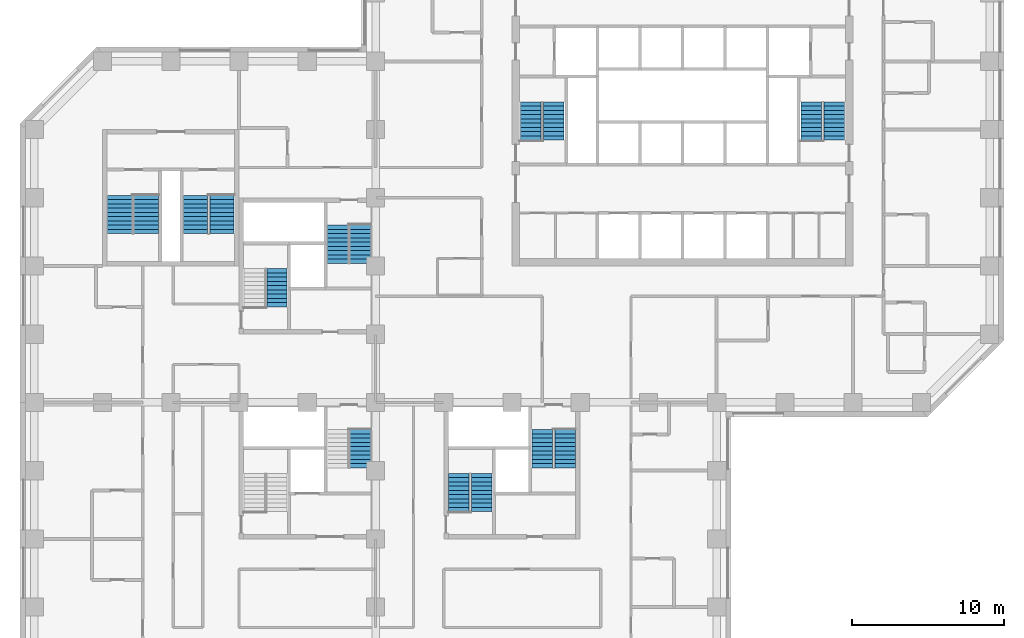
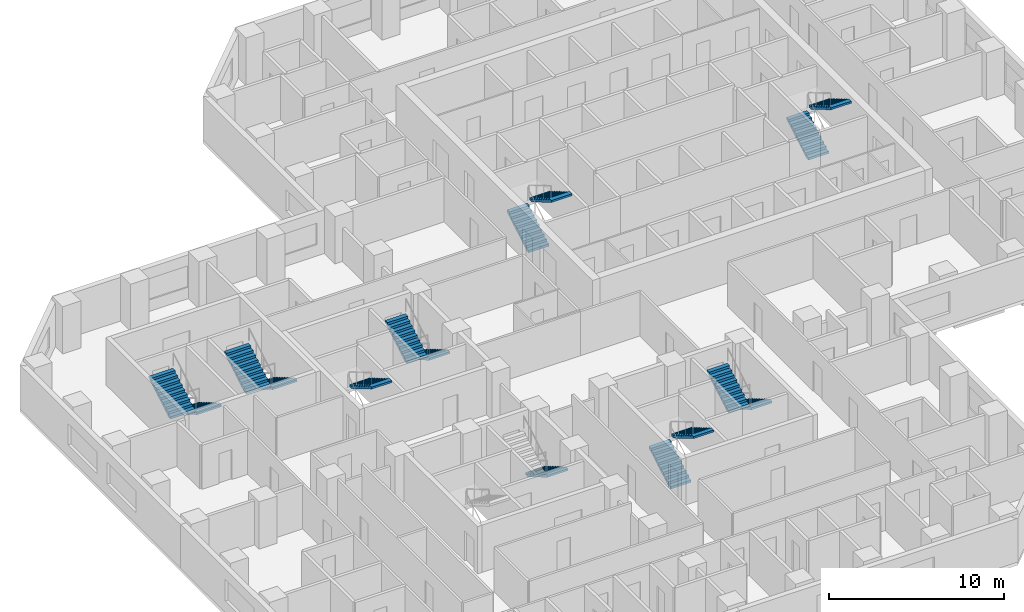
# One storey, part 11 of 12: 16 stair flights, 9 elements without a shape of their own.
"""IFC4 building model written with IfcOpenShell, lengths in metres."""

from ifc_helpers import new_model, si_unit, direction, frame, origin, place, context, subcontext, project, spatial, polyline, outline, extrude, material, type_object, element, aggregate, save


model = new_model("IFC4")

# Units and contexts
model_context = context("Model", 3, precision=1e-05, world=origin(), true_north=direction((0.0, 1.0)))
body_context = subcontext(model_context, "Body", "Model", "MODEL_VIEW")
ifc_project = project(units=[si_unit("LENGTHUNIT", "METRE"), si_unit("AREAUNIT", "SQUARE_METRE"), si_unit("VOLUMEUNIT", "CUBIC_METRE"), si_unit("PLANEANGLEUNIT", "RADIAN"), si_unit("MASSUNIT", "GRAM", prefix="KILO")], contexts=[model_context])

# Site, building, storey
site_placement = place(None, origin())
site = spatial("IfcSite", under=ifc_project, at=site_placement, CompositionType="ELEMENT")
building_placement = place(site_placement, origin())
building = spatial("IfcBuilding", under=site, at=building_placement, Name="Quoin Convention Tower", CompositionType="ELEMENT")
storey_placement = place(building_placement, frame((0.0, 0.0, 29.699951171875)))
storey = spatial("IfcBuildingStorey", under=building, at=storey_placement, Name="L06", CompositionType="ELEMENT", Elevation=29.699951171875)

# Stair, stair flights
ifc_material = material(Name="Concrete C40", Category="concrete")
stair_type_1 = type_object("IfcStairType", Name="Exit stair two-flight 1350", PredefinedType="HALF_TURN_STAIR", material=ifc_material)
stair_1_placement = place(storey_placement, origin())
stair_1 = element("IfcStair", 1, at=stair_1_placement, inside=storey, type_object=stair_type_1, Name="SD1 L06", PredefinedType="HALF_TURN_STAIR")
stair_flight_type_1 = type_object("IfcStairFlightType", Name="Stair flight 1350", PredefinedType="STRAIGHT", material=ifc_material)
stair_flight_1_placement = place(storey_placement, frame((46.25, 57.800048828125, 0.0), z_axis=(0.0, 0.0, 1.0), x_axis=(0.0, 1.0, 0.0)))
stair_flight_1 = element("IfcStairFlight", 2, at=stair_flight_1_placement, type_object=stair_flight_type_1, Name="ST1 flight 1", NumberOfRisers=10, NumberOfTreads=9, PredefinedType="STRAIGHT", RiserHeight=0.165, TreadLength=0.28, context=body_context, shape_type="SweptSolid", body=[
    extrude(outline(polyline([(0.0, 0.0), (0.0, 0.1650390625), (0.280029296875, 0.1650390625), (0.280029296875, 0.330078125), (0.56005859375, 0.330078125), (0.56005859375, 0.4951171875), (0.840087890625, 0.4951171875), (0.840087890625, 0.659912109375), (1.1201171875, 0.659912109375), (1.1201171875, 0.824951171875), (1.39990234375, 0.824951171875), (1.39990234375, 0.989990234375), (1.679931640625, 0.989990234375), (1.679931640625, 1.155029296875), (1.9599609375, 1.155029296875), (1.9599609375, 1.320068359375), (2.239990234375, 1.320068359375), (2.239990234375, 1.485107421875), (2.52001953125, 1.485107421875), (2.52001953125, 1.64990234375), (2.52001953125, 1.345458984375), (0.236572265625, 0.0), (0.0, 0.0)])), frame((0.0, 0.675048828125, 0.0), z_axis=(0.0, -1.0, 0.0), x_axis=(1.0, 0.0, 0.0)), (0.0, 0.0, 1.0), 1.35009765625),
])
stair_flight_2_placement = place(storey_placement, frame((47.75, 60.320068359375, 1.650146484375), z_axis=(0.0, 0.0, 1.0), x_axis=(0.0, -1.0, 0.0)))
stair_flight_2 = element("IfcStairFlight", 3, at=stair_flight_2_placement, type_object=stair_flight_type_1, Name="ST1 flight 2", NumberOfRisers=10, NumberOfTreads=9, PredefinedType="STRAIGHT", RiserHeight=0.165, TreadLength=0.28, context=body_context, shape_type="SweptSolid", body=[
    extrude(outline(polyline([(0.0, 0.0), (0.0, 0.1650390625), (0.280029296875, 0.1650390625), (0.280029296875, 0.330078125), (0.56005859375, 0.330078125), (0.56005859375, 0.4951171875), (0.840087890625, 0.4951171875), (0.840087890625, 0.659912109375), (1.1201171875, 0.659912109375), (1.1201171875, 0.824951171875), (1.39990234375, 0.824951171875), (1.39990234375, 0.989990234375), (1.679931640625, 0.989990234375), (1.679931640625, 1.155029296875), (1.9599609375, 1.155029296875), (1.9599609375, 1.320068359375), (2.239990234375, 1.320068359375), (2.239990234375, 1.485107421875), (2.52001953125, 1.485107421875), (2.52001953125, 1.64990234375), (2.52001953125, 1.345458984375), (0.236572265625, 0.0), (0.0, 0.0)])), frame((0.0, 0.675048828125, 0.0), z_axis=(0.0, -1.0, 0.0), x_axis=(1.0, 0.0, 0.0)), (0.0, 0.0, 1.0), 1.35009765625),
])
aggregate(stair_1, [stair_flight_1, stair_flight_2])

stair_2_placement = place(storey_placement, origin())
stair_2 = element("IfcStair", 4, at=stair_2_placement, inside=storey, type_object=stair_type_1, Name="SD2 L06", PredefinedType="HALF_TURN_STAIR")
stair_flight_3_placement = place(storey_placement, frame((64.75, 57.800048828125, 0.0), z_axis=(0.0, 0.0, 1.0), x_axis=(0.0, 1.0, 0.0)))
stair_flight_3 = element("IfcStairFlight", 5, at=stair_flight_3_placement, type_object=stair_flight_type_1, Name="ST2 flight 1", NumberOfRisers=10, NumberOfTreads=9, PredefinedType="STRAIGHT", RiserHeight=0.165, TreadLength=0.28, context=body_context, shape_type="SweptSolid", body=[
    extrude(outline(polyline([(0.0, 0.0), (0.0, 0.1650390625), (0.280029296875, 0.1650390625), (0.280029296875, 0.330078125), (0.56005859375, 0.330078125), (0.56005859375, 0.4951171875), (0.840087890625, 0.4951171875), (0.840087890625, 0.659912109375), (1.1201171875, 0.659912109375), (1.1201171875, 0.824951171875), (1.39990234375, 0.824951171875), (1.39990234375, 0.989990234375), (1.679931640625, 0.989990234375), (1.679931640625, 1.155029296875), (1.9599609375, 1.155029296875), (1.9599609375, 1.320068359375), (2.239990234375, 1.320068359375), (2.239990234375, 1.485107421875), (2.52001953125, 1.485107421875), (2.52001953125, 1.64990234375), (2.52001953125, 1.345458984375), (0.236572265625, 0.0), (0.0, 0.0)])), frame((0.0, 0.675048828125, 0.0), z_axis=(0.0, -1.0, 0.0), x_axis=(1.0, 0.0, 0.0)), (0.0, 0.0, 1.0), 1.35009765625),
])
stair_flight_4_placement = place(storey_placement, frame((66.25, 60.320068359375, 1.650146484375), z_axis=(0.0, 0.0, 1.0), x_axis=(0.0, -1.0, 0.0)))
stair_flight_4 = element("IfcStairFlight", 6, at=stair_flight_4_placement, type_object=stair_flight_type_1, Name="ST2 flight 2", NumberOfRisers=10, NumberOfTreads=9, PredefinedType="STRAIGHT", RiserHeight=0.165, TreadLength=0.28, context=body_context, shape_type="SweptSolid", body=[
    extrude(outline(polyline([(0.0, 0.0), (0.0, 0.1650390625), (0.280029296875, 0.1650390625), (0.280029296875, 0.330078125), (0.56005859375, 0.330078125), (0.56005859375, 0.4951171875), (0.840087890625, 0.4951171875), (0.840087890625, 0.659912109375), (1.1201171875, 0.659912109375), (1.1201171875, 0.824951171875), (1.39990234375, 0.824951171875), (1.39990234375, 0.989990234375), (1.679931640625, 0.989990234375), (1.679931640625, 1.155029296875), (1.9599609375, 1.155029296875), (1.9599609375, 1.320068359375), (2.239990234375, 1.320068359375), (2.239990234375, 1.485107421875), (2.52001953125, 1.485107421875), (2.52001953125, 1.64990234375), (2.52001953125, 1.345458984375), (0.236572265625, 0.0), (0.0, 0.0)])), frame((0.0, 0.675048828125, 0.0), z_axis=(0.0, -1.0, 0.0), x_axis=(1.0, 0.0, 0.0)), (0.0, 0.0, 1.0), 1.35009765625),
])
aggregate(stair_2, [stair_flight_3, stair_flight_4])

# Stair, stair flight
stair_3_placement = place(storey_placement, origin())
stair_3 = element("IfcStair", 7, at=stair_3_placement, inside=storey, type_object=stair_type_1, Name="SD3 L06", PredefinedType="HALF_TURN_STAIR")
stair_flight_5_placement = place(storey_placement, frame((29.5, 49.320068359375, 1.650146484375), z_axis=(0.0, 0.0, 1.0), x_axis=(0.0, -1.0, 0.0)))
stair_flight_5 = element("IfcStairFlight", 8, at=stair_flight_5_placement, type_object=stair_flight_type_1, Name="ST3 flight 2", NumberOfRisers=10, NumberOfTreads=9, PredefinedType="STRAIGHT", RiserHeight=0.165, TreadLength=0.28, context=body_context, shape_type="SweptSolid", body=[
    extrude(outline(polyline([(0.0, 0.0), (0.0, 0.1650390625), (0.280029296875, 0.1650390625), (0.280029296875, 0.330078125), (0.56005859375, 0.330078125), (0.56005859375, 0.4951171875), (0.840087890625, 0.4951171875), (0.840087890625, 0.659912109375), (1.1201171875, 0.659912109375), (1.1201171875, 0.824951171875), (1.39990234375, 0.824951171875), (1.39990234375, 0.989990234375), (1.679931640625, 0.989990234375), (1.679931640625, 1.155029296875), (1.9599609375, 1.155029296875), (1.9599609375, 1.320068359375), (2.239990234375, 1.320068359375), (2.239990234375, 1.485107421875), (2.52001953125, 1.485107421875), (2.52001953125, 1.64990234375), (2.52001953125, 1.345458984375), (0.236572265625, 0.0), (0.0, 0.0)])), frame((0.0, 0.675048828125, 0.0), z_axis=(0.0, -1.0, 0.0), x_axis=(1.0, 0.0, 0.0)), (0.0, 0.0, 1.0), 1.35009765625),
])
aggregate(stair_3, [stair_flight_5])

# Stair, stair flights
stair_4_placement = place(storey_placement, origin())
stair_4 = element("IfcStair", 9, at=stair_4_placement, inside=storey, type_object=stair_type_1, Name="SD4 L06", PredefinedType="HALF_TURN_STAIR")
stair_flight_6_placement = place(storey_placement, frame((35.0, 52.199951171875, 0.0), z_axis=(0.0, 0.0, 1.0), x_axis=(0.0, -1.0, 0.0)))
stair_flight_6 = element("IfcStairFlight", 10, at=stair_flight_6_placement, type_object=stair_flight_type_1, Name="ST4 flight 1", NumberOfRisers=10, NumberOfTreads=9, PredefinedType="STRAIGHT", RiserHeight=0.165, TreadLength=0.28, context=body_context, shape_type="SweptSolid", body=[
    extrude(outline(polyline([(0.0, 0.0), (0.0, 0.1650390625), (0.280029296875, 0.1650390625), (0.280029296875, 0.330078125), (0.56005859375, 0.330078125), (0.56005859375, 0.4951171875), (0.840087890625, 0.4951171875), (0.840087890625, 0.659912109375), (1.1201171875, 0.659912109375), (1.1201171875, 0.824951171875), (1.39990234375, 0.824951171875), (1.39990234375, 0.989990234375), (1.679931640625, 0.989990234375), (1.679931640625, 1.155029296875), (1.9599609375, 1.155029296875), (1.9599609375, 1.320068359375), (2.239990234375, 1.320068359375), (2.239990234375, 1.485107421875), (2.52001953125, 1.485107421875), (2.52001953125, 1.64990234375), (2.52001953125, 1.345458984375), (0.236572265625, 0.0), (0.0, 0.0)])), frame((0.0, 0.675048828125, 0.0), z_axis=(0.0, -1.0, 0.0), x_axis=(1.0, 0.0, 0.0)), (0.0, 0.0, 1.0), 1.35009765625),
])
stair_flight_7_placement = place(storey_placement, frame((33.5, 49.679931640625, 1.650146484375), z_axis=(0.0, 0.0, 1.0), x_axis=(0.0, 1.0, 0.0)))
stair_flight_7 = element("IfcStairFlight", 11, at=stair_flight_7_placement, type_object=stair_flight_type_1, Name="ST4 flight 2", NumberOfRisers=10, NumberOfTreads=9, PredefinedType="STRAIGHT", RiserHeight=0.165, TreadLength=0.28, context=body_context, shape_type="SweptSolid", body=[
    extrude(outline(polyline([(0.0, 0.0), (0.0, 0.1650390625), (0.280029296875, 0.1650390625), (0.280029296875, 0.330078125), (0.56005859375, 0.330078125), (0.56005859375, 0.4951171875), (0.840087890625, 0.4951171875), (0.840087890625, 0.659912109375), (1.1201171875, 0.659912109375), (1.1201171875, 0.824951171875), (1.39990234375, 0.824951171875), (1.39990234375, 0.989990234375), (1.679931640625, 0.989990234375), (1.679931640625, 1.155029296875), (1.9599609375, 1.155029296875), (1.9599609375, 1.320068359375), (2.239990234375, 1.320068359375), (2.239990234375, 1.485107421875), (2.52001953125, 1.485107421875), (2.52001953125, 1.64990234375), (2.52001953125, 1.345458984375), (0.236572265625, 0.0), (0.0, 0.0)])), frame((0.0, 0.675048828125, 0.0), z_axis=(0.0, -1.0, 0.0), x_axis=(1.0, 0.0, 0.0)), (0.0, 0.0, 1.0), 1.35009765625),
])
aggregate(stair_4, [stair_flight_6, stair_flight_7])

stair_5_placement = place(storey_placement, origin())
stair_5 = element("IfcStair", 12, at=stair_5_placement, inside=storey, type_object=stair_type_1, Name="SD5 L06", PredefinedType="HALF_TURN_STAIR")
stair_flight_8_placement = place(storey_placement, frame((41.5, 33.300048828125, 0.0), z_axis=(0.0, 0.0, 1.0), x_axis=(0.0, 1.0, 0.0)))
stair_flight_8 = element("IfcStairFlight", 13, at=stair_flight_8_placement, type_object=stair_flight_type_1, Name="ST5 flight 1", NumberOfRisers=10, NumberOfTreads=9, PredefinedType="STRAIGHT", RiserHeight=0.165, TreadLength=0.28, context=body_context, shape_type="SweptSolid", body=[
    extrude(outline(polyline([(0.0, 0.0), (0.0, 0.1650390625), (0.280029296875, 0.1650390625), (0.280029296875, 0.330078125), (0.56005859375, 0.330078125), (0.56005859375, 0.4951171875), (0.840087890625, 0.4951171875), (0.840087890625, 0.659912109375), (1.1201171875, 0.659912109375), (1.1201171875, 0.824951171875), (1.39990234375, 0.824951171875), (1.39990234375, 0.989990234375), (1.679931640625, 0.989990234375), (1.679931640625, 1.155029296875), (1.9599609375, 1.155029296875), (1.9599609375, 1.320068359375), (2.239990234375, 1.320068359375), (2.239990234375, 1.485107421875), (2.52001953125, 1.485107421875), (2.52001953125, 1.64990234375), (2.52001953125, 1.345458984375), (0.236572265625, 0.0), (0.0, 0.0)])), frame((0.0, 0.675048828125, 0.0), z_axis=(0.0, -1.0, 0.0), x_axis=(1.0, 0.0, 0.0)), (0.0, 0.0, 1.0), 1.35009765625),
])
stair_flight_9_placement = place(storey_placement, frame((43.0, 35.820068359375, 1.650146484375), z_axis=(0.0, 0.0, 1.0), x_axis=(0.0, -1.0, 0.0)))
stair_flight_9 = element("IfcStairFlight", 14, at=stair_flight_9_placement, type_object=stair_flight_type_1, Name="ST5 flight 2", NumberOfRisers=10, NumberOfTreads=9, PredefinedType="STRAIGHT", RiserHeight=0.165, TreadLength=0.28, context=body_context, shape_type="SweptSolid", body=[
    extrude(outline(polyline([(0.0, 0.0), (0.0, 0.1650390625), (0.280029296875, 0.1650390625), (0.280029296875, 0.330078125), (0.56005859375, 0.330078125), (0.56005859375, 0.4951171875), (0.840087890625, 0.4951171875), (0.840087890625, 0.659912109375), (1.1201171875, 0.659912109375), (1.1201171875, 0.824951171875), (1.39990234375, 0.824951171875), (1.39990234375, 0.989990234375), (1.679931640625, 0.989990234375), (1.679931640625, 1.155029296875), (1.9599609375, 1.155029296875), (1.9599609375, 1.320068359375), (2.239990234375, 1.320068359375), (2.239990234375, 1.485107421875), (2.52001953125, 1.485107421875), (2.52001953125, 1.64990234375), (2.52001953125, 1.345458984375), (0.236572265625, 0.0), (0.0, 0.0)])), frame((0.0, 0.675048828125, 0.0), z_axis=(0.0, -1.0, 0.0), x_axis=(1.0, 0.0, 0.0)), (0.0, 0.0, 1.0), 1.35009765625),
])
aggregate(stair_5, [stair_flight_8, stair_flight_9])

stair_6_placement = place(storey_placement, origin())
stair_6 = element("IfcStair", 15, at=stair_6_placement, inside=storey, type_object=stair_type_1, Name="SD6 L06", PredefinedType="HALF_TURN_STAIR")
stair_flight_10_placement = place(storey_placement, frame((48.5, 38.699951171875, 0.0), z_axis=(0.0, 0.0, 1.0), x_axis=(0.0, -1.0, 0.0)))
stair_flight_10 = element("IfcStairFlight", 16, at=stair_flight_10_placement, type_object=stair_flight_type_1, Name="ST6 flight 1", NumberOfRisers=10, NumberOfTreads=9, PredefinedType="STRAIGHT", RiserHeight=0.165, TreadLength=0.28, context=body_context, shape_type="SweptSolid", body=[
    extrude(outline(polyline([(0.0, 0.0), (0.0, 0.1650390625), (0.280029296875, 0.1650390625), (0.280029296875, 0.330078125), (0.56005859375, 0.330078125), (0.56005859375, 0.4951171875), (0.840087890625, 0.4951171875), (0.840087890625, 0.659912109375), (1.1201171875, 0.659912109375), (1.1201171875, 0.824951171875), (1.39990234375, 0.824951171875), (1.39990234375, 0.989990234375), (1.679931640625, 0.989990234375), (1.679931640625, 1.155029296875), (1.9599609375, 1.155029296875), (1.9599609375, 1.320068359375), (2.239990234375, 1.320068359375), (2.239990234375, 1.485107421875), (2.52001953125, 1.485107421875), (2.52001953125, 1.64990234375), (2.52001953125, 1.345458984375), (0.236572265625, 0.0), (0.0, 0.0)])), frame((0.0, 0.675048828125, 0.0), z_axis=(0.0, -1.0, 0.0), x_axis=(1.0, 0.0, 0.0)), (0.0, 0.0, 1.0), 1.35009765625),
])
stair_flight_11_placement = place(storey_placement, frame((47.0, 36.179931640625, 1.650146484375), z_axis=(0.0, 0.0, 1.0), x_axis=(0.0, 1.0, 0.0)))
stair_flight_11 = element("IfcStairFlight", 17, at=stair_flight_11_placement, type_object=stair_flight_type_1, Name="ST6 flight 2", NumberOfRisers=10, NumberOfTreads=9, PredefinedType="STRAIGHT", RiserHeight=0.165, TreadLength=0.28, context=body_context, shape_type="SweptSolid", body=[
    extrude(outline(polyline([(0.0, 0.0), (0.0, 0.1650390625), (0.280029296875, 0.1650390625), (0.280029296875, 0.330078125), (0.56005859375, 0.330078125), (0.56005859375, 0.4951171875), (0.840087890625, 0.4951171875), (0.840087890625, 0.659912109375), (1.1201171875, 0.659912109375), (1.1201171875, 0.824951171875), (1.39990234375, 0.824951171875), (1.39990234375, 0.989990234375), (1.679931640625, 0.989990234375), (1.679931640625, 1.155029296875), (1.9599609375, 1.155029296875), (1.9599609375, 1.320068359375), (2.239990234375, 1.320068359375), (2.239990234375, 1.485107421875), (2.52001953125, 1.485107421875), (2.52001953125, 1.64990234375), (2.52001953125, 1.345458984375), (0.236572265625, 0.0), (0.0, 0.0)])), frame((0.0, 0.675048828125, 0.0), z_axis=(0.0, -1.0, 0.0), x_axis=(1.0, 0.0, 0.0)), (0.0, 0.0, 1.0), 1.35009765625),
])
aggregate(stair_6, [stair_flight_10, stair_flight_11])

# Stair, stair flight
stair_7_placement = place(storey_placement, origin())
stair_7 = element("IfcStair", 18, at=stair_7_placement, inside=storey, type_object=stair_type_1, Name="SD8 L06", PredefinedType="HALF_TURN_STAIR")
stair_flight_12_placement = place(storey_placement, frame((35.0, 38.699951171875, 0.0), z_axis=(0.0, 0.0, 1.0), x_axis=(0.0, -1.0, 0.0)))
stair_flight_12 = element("IfcStairFlight", 19, at=stair_flight_12_placement, type_object=stair_flight_type_1, Name="ST8 flight 1", NumberOfRisers=10, NumberOfTreads=9, PredefinedType="STRAIGHT", RiserHeight=0.165, TreadLength=0.28, context=body_context, shape_type="SweptSolid", body=[
    extrude(outline(polyline([(0.0, 0.0), (0.0, 0.1650390625), (0.280029296875, 0.1650390625), (0.280029296875, 0.330078125), (0.56005859375, 0.330078125), (0.56005859375, 0.4951171875), (0.840087890625, 0.4951171875), (0.840087890625, 0.659912109375), (1.1201171875, 0.659912109375), (1.1201171875, 0.824951171875), (1.39990234375, 0.824951171875), (1.39990234375, 0.989990234375), (1.679931640625, 0.989990234375), (1.679931640625, 1.155029296875), (1.9599609375, 1.155029296875), (1.9599609375, 1.320068359375), (2.239990234375, 1.320068359375), (2.239990234375, 1.485107421875), (2.52001953125, 1.485107421875), (2.52001953125, 1.64990234375), (2.52001953125, 1.345458984375), (0.236572265625, 0.0), (0.0, 0.0)])), frame((0.0, 0.675048828125, 0.0), z_axis=(0.0, -1.0, 0.0), x_axis=(1.0, 0.0, 0.0)), (0.0, 0.0, 1.0), 1.35009765625),
])
aggregate(stair_7, [stair_flight_12])

# Stair, stair flights
stair_type_2 = type_object("IfcStairType", Name="Exit stair two-flight 1600", PredefinedType="HALF_TURN_STAIR", material=ifc_material)
stair_8_placement = place(storey_placement, origin())
stair_8 = element("IfcStair", 20, at=stair_8_placement, inside=storey, type_object=stair_type_2, Name="SD11 L06", PredefinedType="HALF_TURN_STAIR")
stair_flight_type_2 = type_object("IfcStairFlightType", Name="Stair flight 1600", PredefinedType="STRAIGHT", material=ifc_material)
stair_flight_13_placement = place(storey_placement, frame((20.875, 54.14990234375, 0.0), z_axis=(0.0, 0.0, 1.0), x_axis=(0.0, -1.0, 0.0)))
stair_flight_13 = element("IfcStairFlight", 21, at=stair_flight_13_placement, type_object=stair_flight_type_2, Name="ST11 flight 1", NumberOfRisers=10, NumberOfTreads=9, PredefinedType="STRAIGHT", RiserHeight=0.165, TreadLength=0.28, context=body_context, shape_type="SweptSolid", body=[
    extrude(outline(polyline([(0.0, 0.0), (0.0, 0.1650390625), (0.280029296875, 0.1650390625), (0.280029296875, 0.330078125), (0.56005859375, 0.330078125), (0.56005859375, 0.4951171875), (0.840087890625, 0.4951171875), (0.840087890625, 0.659912109375), (1.1201171875, 0.659912109375), (1.1201171875, 0.824951171875), (1.39990234375, 0.824951171875), (1.39990234375, 0.989990234375), (1.679931640625, 0.989990234375), (1.679931640625, 1.155029296875), (1.9599609375, 1.155029296875), (1.9599609375, 1.320068359375), (2.239990234375, 1.320068359375), (2.239990234375, 1.485107421875), (2.52001953125, 1.485107421875), (2.52001953125, 1.64990234375), (2.52001953125, 1.345458984375), (0.236572265625, 0.0), (0.0, 0.0)])), frame((0.0, 0.800048828125, 0.0), z_axis=(0.0, -1.0, 0.0), x_axis=(1.0, 0.0, 0.0)), (0.0, 0.0, 1.0), 1.60009765625),
])
stair_flight_14_placement = place(storey_placement, frame((19.125, 51.6298828125, 1.650146484375), z_axis=(0.0, 0.0, 1.0), x_axis=(0.0, 1.0, 0.0)))
stair_flight_14 = element("IfcStairFlight", 22, at=stair_flight_14_placement, type_object=stair_flight_type_2, Name="ST11 flight 2", NumberOfRisers=10, NumberOfTreads=9, PredefinedType="STRAIGHT", RiserHeight=0.165, TreadLength=0.28, context=body_context, shape_type="SweptSolid", body=[
    extrude(outline(polyline([(0.0, 0.0), (0.0, 0.1650390625), (0.280029296875, 0.1650390625), (0.280029296875, 0.330078125), (0.56005859375, 0.330078125), (0.56005859375, 0.4951171875), (0.840087890625, 0.4951171875), (0.840087890625, 0.659912109375), (1.1201171875, 0.659912109375), (1.1201171875, 0.824951171875), (1.39990234375, 0.824951171875), (1.39990234375, 0.989990234375), (1.679931640625, 0.989990234375), (1.679931640625, 1.155029296875), (1.9599609375, 1.155029296875), (1.9599609375, 1.320068359375), (2.239990234375, 1.320068359375), (2.239990234375, 1.485107421875), (2.52001953125, 1.485107421875), (2.52001953125, 1.64990234375), (2.52001953125, 1.345458984375), (0.236572265625, 0.0), (0.0, 0.0)])), frame((0.0, 0.800048828125, 0.0), z_axis=(0.0, -1.0, 0.0), x_axis=(1.0, 0.0, 0.0)), (0.0, 0.0, 1.0), 1.60009765625),
])
aggregate(stair_8, [stair_flight_13, stair_flight_14])

stair_9_placement = place(storey_placement, origin())
stair_9 = element("IfcStair", 23, at=stair_9_placement, inside=storey, type_object=stair_type_2, Name="SD12 L06", PredefinedType="HALF_TURN_STAIR")
stair_flight_15_placement = place(storey_placement, frame((25.875, 54.14990234375, 0.0), z_axis=(0.0, 0.0, 1.0), x_axis=(0.0, -1.0, 0.0)))
stair_flight_15 = element("IfcStairFlight", 24, at=stair_flight_15_placement, type_object=stair_flight_type_2, Name="ST12 flight 1", NumberOfRisers=10, NumberOfTreads=9, PredefinedType="STRAIGHT", RiserHeight=0.165, TreadLength=0.28, context=body_context, shape_type="SweptSolid", body=[
    extrude(outline(polyline([(0.0, 0.0), (0.0, 0.1650390625), (0.280029296875, 0.1650390625), (0.280029296875, 0.330078125), (0.56005859375, 0.330078125), (0.56005859375, 0.4951171875), (0.840087890625, 0.4951171875), (0.840087890625, 0.659912109375), (1.1201171875, 0.659912109375), (1.1201171875, 0.824951171875), (1.39990234375, 0.824951171875), (1.39990234375, 0.989990234375), (1.679931640625, 0.989990234375), (1.679931640625, 1.155029296875), (1.9599609375, 1.155029296875), (1.9599609375, 1.320068359375), (2.239990234375, 1.320068359375), (2.239990234375, 1.485107421875), (2.52001953125, 1.485107421875), (2.52001953125, 1.64990234375), (2.52001953125, 1.345458984375), (0.236572265625, 0.0), (0.0, 0.0)])), frame((0.0, 0.800048828125, 0.0), z_axis=(0.0, -1.0, 0.0), x_axis=(1.0, 0.0, 0.0)), (0.0, 0.0, 1.0), 1.60009765625),
])
stair_flight_16_placement = place(storey_placement, frame((24.125, 51.6298828125, 1.650146484375), z_axis=(0.0, 0.0, 1.0), x_axis=(0.0, 1.0, 0.0)))
stair_flight_16 = element("IfcStairFlight", 25, at=stair_flight_16_placement, type_object=stair_flight_type_2, Name="ST12 flight 2", NumberOfRisers=10, NumberOfTreads=9, PredefinedType="STRAIGHT", RiserHeight=0.165, TreadLength=0.28, context=body_context, shape_type="SweptSolid", body=[
    extrude(outline(polyline([(0.0, 0.0), (0.0, 0.1650390625), (0.280029296875, 0.1650390625), (0.280029296875, 0.330078125), (0.56005859375, 0.330078125), (0.56005859375, 0.4951171875), (0.840087890625, 0.4951171875), (0.840087890625, 0.659912109375), (1.1201171875, 0.659912109375), (1.1201171875, 0.824951171875), (1.39990234375, 0.824951171875), (1.39990234375, 0.989990234375), (1.679931640625, 0.989990234375), (1.679931640625, 1.155029296875), (1.9599609375, 1.155029296875), (1.9599609375, 1.320068359375), (2.239990234375, 1.320068359375), (2.239990234375, 1.485107421875), (2.52001953125, 1.485107421875), (2.52001953125, 1.64990234375), (2.52001953125, 1.345458984375), (0.236572265625, 0.0), (0.0, 0.0)])), frame((0.0, 0.800048828125, 0.0), z_axis=(0.0, -1.0, 0.0), x_axis=(1.0, 0.0, 0.0)), (0.0, 0.0, 1.0), 1.60009765625),
])
aggregate(stair_9, [stair_flight_15, stair_flight_16])

save(model, "model.ifc")
